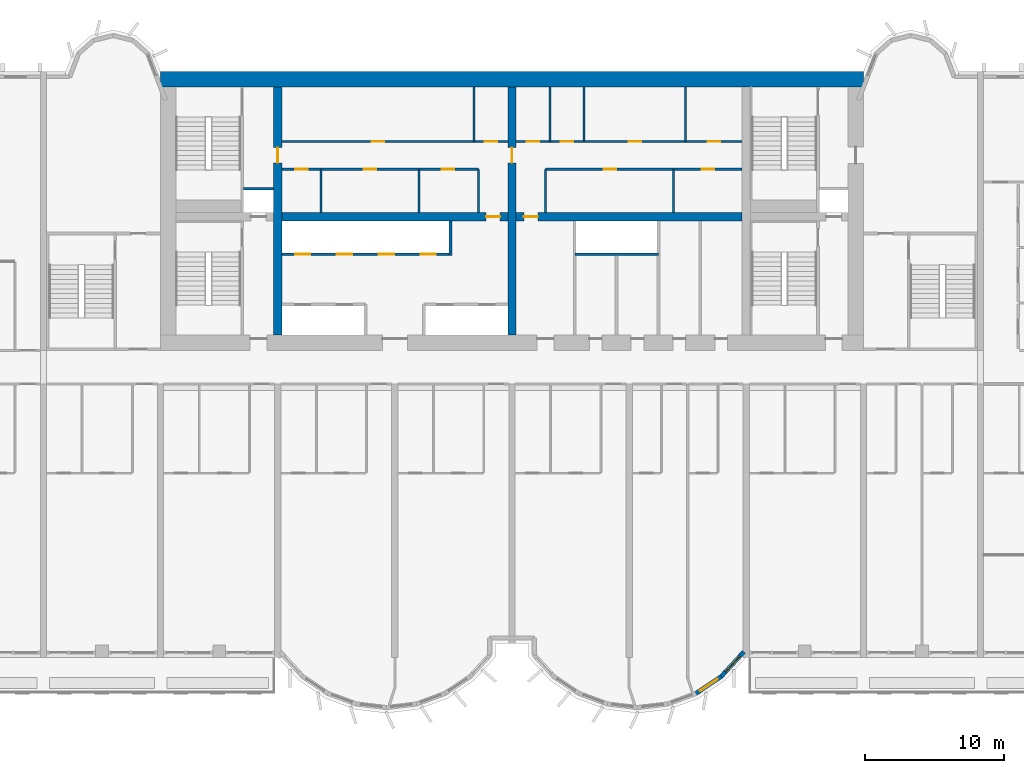
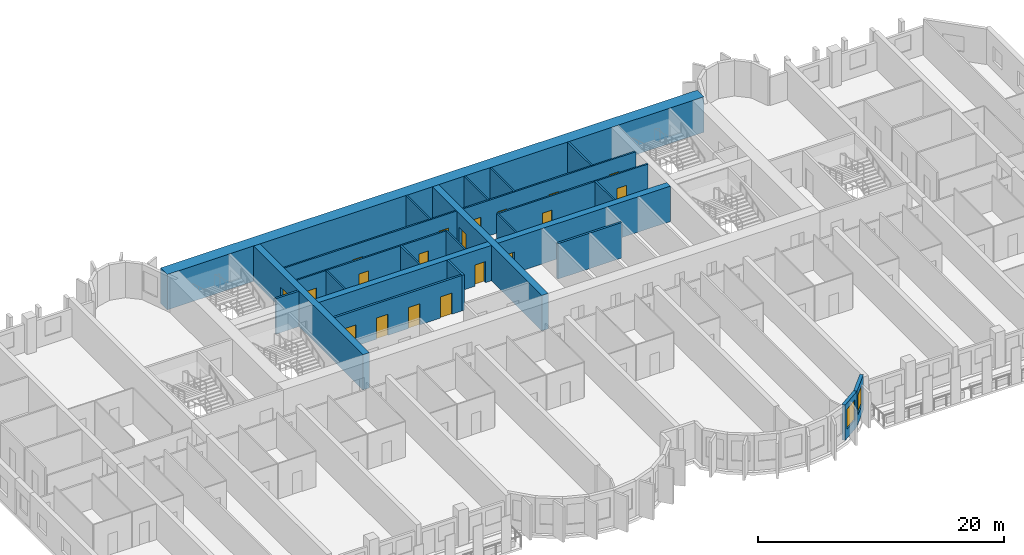
# One storey, part 7 of 15: 24 walls, 19 doors, 2 windows, 21 openings.
"""IFC4 building model written with IfcOpenShell, lengths in metres."""

import ifcopenshell
import ifcopenshell.guid

model = None  # the IFC model being written
_history = None  # IfcOwnerHistory: only IFC2X3 demands one
_inside = {}  # id of a spatial element -> (the spatial element, [elements in it])
_under = {}  # id of a project, library or spatial element -> (it, [spatial elements below it])
_declared = {}  # id of a project -> (the project, [libraries it declares])
_typed = {}  # id of a type object -> (the type object, [elements of that type])
_made_of = {}  # id of a material, layer set ... -> (it, [elements and type objects made of it])


def new_model(schema):
    """Start an empty IFC model of exactly this schema.

    Asked for "IFC4X3", IfcOpenShell would pick the latest addendum, in which some entities
    have other attributes; the version numbers below select the first issue.
    IFC2X3 requires an IfcOwnerHistory on every rooted entity: one is made here for all.
    """
    global model, _history
    if schema == "IFC4X3":
        model = ifcopenshell.file(schema_version=(4, 3, 0, 0))
    else:
        model = ifcopenshell.file(schema=schema)
    _inside.clear()
    _under.clear()
    _declared.clear()
    _typed.clear()
    _made_of.clear()
    _history = None
    if model.schema == "IFC2X3":
        org = make("IfcOrganization", Name="unknown")
        user = make(
            "IfcPersonAndOrganization",
            ThePerson=make("IfcPerson", FamilyName="unknown"),
            TheOrganization=org,
        )
        app = make(
            "IfcApplication",
            ApplicationDeveloper=org,
            Version="unknown",
            ApplicationFullName="unknown",
            ApplicationIdentifier="unknown",
        )
        _history = make(
            "IfcOwnerHistory",
            OwningUser=user,
            OwningApplication=app,
            ChangeAction="ADDED",
            CreationDate=0,
        )
    return model


def make(cls, **values):
    """One entity of the class cls with the attributes given. An attribute that is None is left unset."""
    return model.create_entity(
        cls, **{name: value for name, value in values.items() if value is not None}
    )


def rooted(cls, **values):
    """An entity with a GlobalId (a new one), such as an element, a storey or a relation."""
    return make(cls, GlobalId=ifcopenshell.guid.new(), OwnerHistory=_history, **values)


def si_unit(unit_type, name, prefix=None):
    """IfcSIUnit, for example si_unit("LENGTHUNIT", "METRE", prefix="MILLI")."""
    return make("IfcSIUnit", UnitType=unit_type, Prefix=prefix, Name=name)


def assignment(units):
    """IfcUnitAssignment: the units of a project."""
    return None if units is None else make("IfcUnitAssignment", Units=units)


def point(xyz):
    """IfcCartesianPoint."""
    return None if xyz is None else make("IfcCartesianPoint", Coordinates=xyz)


def direction(xyz):
    """IfcDirection."""
    return None if xyz is None else make("IfcDirection", DirectionRatios=xyz)


def frame(location, z_axis=None, x_axis=None):
    """IfcAxis2Placement3D, a coordinate frame: its origin and axes. An axis left out is left unset."""
    return make(
        "IfcAxis2Placement3D",
        Location=point(location),
        Axis=direction(z_axis),
        RefDirection=direction(x_axis),
    )


def frame_2d(location, x_axis=None):
    """IfcAxis2Placement2D, a coordinate frame in the plane: its origin and x axis."""
    return make(
        "IfcAxis2Placement2D", Location=point(location), RefDirection=direction(x_axis)
    )


def origin():
    """The frame at (0, 0, 0) with its axes left unset."""
    return frame((0.0, 0.0, 0.0))


def place(relative_to, where):
    """IfcLocalPlacement: puts the frame where relative to a parent placement (None: the world)."""
    return make(
        "IfcLocalPlacement", PlacementRelTo=relative_to, RelativePlacement=where
    )


def context(
    kind, dimensions, precision=None, world=None, true_north=None, identifier=None
):
    """IfcGeometricRepresentationContext, for example the 3D "Model" context."""
    return make(
        "IfcGeometricRepresentationContext",
        ContextIdentifier=identifier,
        ContextType=kind,
        CoordinateSpaceDimension=dimensions,
        Precision=precision,
        WorldCoordinateSystem=world,
        TrueNorth=true_north,
    )


def subcontext(parent, identifier, kind, view, scale=None):
    """IfcGeometricRepresentationSubContext, for example "Body" below "Model"."""
    return make(
        "IfcGeometricRepresentationSubContext",
        ContextIdentifier=identifier,
        ContextType=kind,
        ParentContext=parent,
        TargetScale=scale,
        TargetView=view,
    )


def project(units=None, contexts=None):
    """IfcProject with its units and contexts."""
    return rooted(
        "IfcProject",
        Name="project",
        RepresentationContexts=contexts,
        UnitsInContext=assignment(units),
    )


def spatial(cls, under=None, at=None, **own):
    """A site, building, storey or space (cls), placed at a placement, below another one or the project."""
    s = rooted(cls, ObjectPlacement=at, **own)
    if under is not None:
        _under.setdefault(under.id(), (under, []))[1].append(s)
    return s


def profile(cls, at=None, kind="AREA", **sizes):
    """A parametric profile (cls). Its sizes go by their IFC names, for example OverallWidth=200.0."""
    return make(cls, ProfileType=kind, Position=at, **sizes)


def rectangle(**sizes):
    """IfcRectangleProfileDef."""
    return profile("IfcRectangleProfileDef", **sizes)


def extrude(swept, where, along, depth):
    """IfcExtrudedAreaSolid: the profile swept, set in the frame where, extruded along a direction by depth."""
    return make(
        "IfcExtrudedAreaSolid",
        SweptArea=swept,
        Position=where,
        ExtrudedDirection=direction(along),
        Depth=depth,
    )


def shape(context_of_items, identifier, shape_type, items):
    """IfcShapeRepresentation: the items that make up one representation, for example the "Body"."""
    return make(
        "IfcShapeRepresentation",
        ContextOfItems=context_of_items,
        RepresentationIdentifier=identifier,
        RepresentationType=shape_type,
        Items=items,
    )


def source(mapping_origin, context_of_items, identifier, shape_type, items):
    """IfcRepresentationMap: a shape defined once, which mapped items show again and again."""
    return make(
        "IfcRepresentationMap",
        MappingOrigin=mapping_origin,
        MappedRepresentation=shape(context_of_items, identifier, shape_type, items),
    )


def transform(
    local_origin,
    x_axis=None,
    y_axis=None,
    z_axis=None,
    scale=None,
    scale2=None,
    scale3=None,
    uniform=True,
):
    """IfcCartesianTransformationOperator3D, or its non-uniform kind. x_axis, y_axis, z_axis: its Axis1, 2, 3."""
    if uniform:
        return make(
            "IfcCartesianTransformationOperator3D",
            Axis1=direction(x_axis),
            Axis2=direction(y_axis),
            LocalOrigin=point(local_origin),
            Scale=scale,
            Axis3=direction(z_axis),
        )
    return make(
        "IfcCartesianTransformationOperator3DnonUniform",
        Axis1=direction(x_axis),
        Axis2=direction(y_axis),
        LocalOrigin=point(local_origin),
        Scale=scale,
        Axis3=direction(z_axis),
        Scale2=scale2,
        Scale3=scale3,
    )


def mapped(mapping_source, mapping_target):
    """IfcMappedItem: shows the shape of a source again, moved by a transform."""
    return make(
        "IfcMappedItem", MappingSource=mapping_source, MappingTarget=mapping_target
    )


def material(Name=None, Category=None):
    """IfcMaterial."""
    return make("IfcMaterial", Name=Name, Category=Category)


def layer(
    of_material, thickness, ventilated=None, Name=None, Category=None, Priority=None
):
    """IfcMaterialLayer: one layer of a wall or slab, of a material (None: an air gap)."""
    return make(
        "IfcMaterialLayer",
        Material=of_material,
        LayerThickness=thickness,
        IsVentilated=ventilated,
        Name=Name,
        Category=Category,
        Priority=Priority,
    )


def layer_set(layers, Name=None):
    """IfcMaterialLayerSet."""
    return make("IfcMaterialLayerSet", MaterialLayers=layers, LayerSetName=Name)


def made_of(thing, what):
    """Note that an element or type object is made of a material, layer set ...; save() writes the relation."""
    if what is not None:
        _made_of.setdefault(what.id(), (what, []))[1].append(thing)
    return thing


def type_object(cls, material=None, **own):
    """A type object (cls), such as IfcWallType, which elements share."""
    return made_of(rooted(cls, **own), material)


def element(
    cls,
    number,
    at=None,
    inside=None,
    cuts=None,
    type_object=None,
    material=None,
    context=None,
    identifier="Body",
    shape_type=None,
    held_by="IfcProductDefinitionShape",
    body=None,
    shapes=None,
    **own,
):
    """One element of the class cls, such as IfcWall. Its Tag is "e" and its number.

    at: its placement. inside: the storey or other place that contains it. cuts: it is an
    opening in that element (IfcRelVoidsElement). A single representation is given by context,
    identifier, shape_type and body (its items); several are given by shapes. held_by: the class
    of the entity that holds the representations. save() writes the other relations.
    """
    e = rooted(cls, Tag="e%d" % number, ObjectPlacement=at, **own)
    if body is not None:
        shapes = [shape(context, identifier, shape_type, body)]
    if shapes is not None:
        e.Representation = make(held_by, Representations=shapes)
    if inside is not None:
        _inside.setdefault(inside.id(), (inside, []))[1].append(e)
    if cuts is not None:
        rooted(
            "IfcRelVoidsElement", RelatingBuildingElement=cuts, RelatedOpeningElement=e
        )
    if type_object is not None:
        _typed.setdefault(type_object.id(), (type_object, []))[1].append(e)
    return made_of(e, material)


def fill(opening, filler):
    """IfcRelFillsElement: the door or window that sits in an opening."""
    return rooted(
        "IfcRelFillsElement",
        RelatingOpeningElement=opening,
        RelatedBuildingElement=filler,
    )


def aggregate(whole, parts):
    """IfcRelAggregates: a whole, such as a stair, and the parts it consists of."""
    return rooted("IfcRelAggregates", RelatingObject=whole, RelatedObjects=parts)


def save(model, path):
    """Write the relations noted so far, then the file.

    IfcRelAggregates (storeys below a building ...), IfcRelContainedInSpatialStructure (elements
    in a storey), IfcRelDefinesByType, IfcRelAssociatesMaterial and IfcRelDeclares: one each for
    every whole, place, type object, material and project.
    """
    for whole, parts in _under.values():
        aggregate(whole, parts)
    for where, things in _inside.values():
        rooted(
            "IfcRelContainedInSpatialStructure",
            RelatedElements=things,
            RelatingStructure=where,
        )
    for kind, things in _typed.values():
        rooted("IfcRelDefinesByType", RelatedObjects=things, RelatingType=kind)
    for what, things in _made_of.values():
        rooted("IfcRelAssociatesMaterial", RelatedObjects=things, RelatingMaterial=what)
    for by, libraries in _declared.values():
        rooted("IfcRelDeclares", RelatingContext=by, RelatedDefinitions=libraries)
    model.write(path)


model = new_model("IFC4")

# Units and contexts
model_context = context("Model", 3, precision=1e-05, world=origin(), true_north=direction((0.0, 1.0)))
body_context = subcontext(model_context, "Body", "Model", "MODEL_VIEW")
ifc_project = project(units=[si_unit("LENGTHUNIT", "METRE"), si_unit("AREAUNIT", "SQUARE_METRE"), si_unit("VOLUMEUNIT", "CUBIC_METRE"), si_unit("PLANEANGLEUNIT", "RADIAN"), si_unit("MASSUNIT", "GRAM", prefix="KILO")], contexts=[model_context])

# Site, building, storey
site_placement = place(None, origin())
site = spatial("IfcSite", under=ifc_project, at=site_placement, CompositionType="ELEMENT")
building_placement = place(site_placement, origin())
building = spatial("IfcBuilding", under=site, at=building_placement, Name="Vanashikhar Sky Hotel", CompositionType="ELEMENT")
storey_placement = place(building_placement, frame((0.0, 0.0, 39.199951171875)))
storey = spatial("IfcBuildingStorey", under=building, at=storey_placement, Name="L08", CompositionType="ELEMENT", Elevation=39.199951171875)

# Wall
ifc_material_1 = material(Name="Concrete M80", Category="concrete")
ifc_layer_1 = layer(ifc_material_1, 1.10009765625)
ifc_layer_set_1 = layer_set([ifc_layer_1], Name="RC core shell wall 1100 Concrete M80")
wall_type_1 = type_object("IfcWallType", Name="RC core shell wall 1100 Concrete M80", PredefinedType="SHEAR", material=ifc_layer_set_1)
shared_shape_1 = source(origin(), body_context, "Body", "SweptSolid", [
    extrude(rectangle(XDim=50.400146484375, YDim=1.10009765625, at=frame_2d((25.2001953125, 0.0))), origin(), (0.0, 0.0, 1.0), 3.52001953125),
])
wall_1_placement = place(storey_placement, frame((25.199951171875, 41.449951171875, 0.0), z_axis=(0.0, 0.0, 1.0), x_axis=(1.0, 0.0, 0.0)))
element("IfcWall", 1, at=wall_1_placement, inside=storey, type_object=wall_type_1, Name="KW-L08-KN", PredefinedType="SHEAR", context=body_context, shape_type="MappedRepresentation", body=[
    mapped(shared_shape_1, transform((0.0, 0.0, 0.0), scale=1.0)),
])

# Wall, opening, door
ifc_layer_2 = layer(ifc_material_1, 0.60009765625)
ifc_layer_set_2 = layer_set([ifc_layer_2], Name="RC core inner wall 600 Concrete M80")
wall_type_2 = type_object("IfcWallType", Name="RC core inner wall 600 Concrete M80", PredefinedType="SHEAR", material=ifc_layer_set_2)
shared_shape_2 = source(origin(), body_context, "Body", "SweptSolid", [
    extrude(rectangle(XDim=17.7998046875, YDim=0.60009765625, at=frame_2d((8.89990234375, 0.0))), origin(), (0.0, 0.0, 1.0), 3.52001953125),
])
wall_2_placement = place(storey_placement, frame((33.60009765625, 23.10009765625, 0.0), z_axis=(0.0, 0.0, 1.0), x_axis=(0.0, 1.0, 0.0)))
wall_2 = element("IfcWall", 2, at=wall_2_placement, inside=storey, type_object=wall_type_2, Name="KW-L08-KX1", PredefinedType="SHEAR", context=body_context, shape_type="MappedRepresentation", body=[
    mapped(shared_shape_2, transform((0.0, 0.0, 0.0), scale=1.0)),
])
shared_shape_3 = source(origin(), body_context, "Body", "SweptSolid", [
    extrude(rectangle(XDim=1.10009765625, YDim=2.10009765625, at=frame_2d((0.550048828125, 1.050048828125))), frame((0.0, 0.31005859375, 0.0), z_axis=(0.0, -1.0, 0.0), x_axis=(1.0, 0.0, 0.0)), (0.0, 0.0, 1.0), 0.6201171875),
])
opening_1_placement = place(wall_2_placement, frame((12.35009765625, 0.0, 0.0)))
opening_1 = element("IfcOpeningElement", 3, at=opening_1_placement, cuts=wall_2, Name="Opening DC-4-C", PredefinedType="OPENING", context=body_context, shape_type="MappedRepresentation", body=[
    mapped(shared_shape_3, transform((0.0, 0.0, 0.0), scale=1.0)),
])
ifc_material_2 = material(Name="Steel", Category="steel")
door_type_1 = type_object("IfcDoorType", Name="Service door 1100 FD60", OperationType="NOTDEFINED", PredefinedType="DOOR", material=ifc_material_2)
shared_shape_4 = source(origin(), body_context, "Body", "SweptSolid", [
    extrude(rectangle(XDim=1.10009765625, YDim=2.10009765625, at=frame_2d((0.550048828125, 1.050048828125))), frame((0.0, 0.02490234375, 0.0), z_axis=(0.0, -1.0, 0.0), x_axis=(1.0, 0.0, 0.0)), (0.0, 0.0, 1.0), 0.050048828125),
])
door_1_placement = place(opening_1_placement, origin())
door_1 = element("IfcDoor", 4, at=door_1_placement, inside=storey, type_object=door_type_1, Name="Service door 1100 FD60", OperationType="SINGLE_SWING_LEFT", OverallHeight=2.10009765625, OverallWidth=1.10009765625, PredefinedType="DOOR", context=body_context, shape_type="MappedRepresentation", body=[
    mapped(shared_shape_4, transform((0.0, 0.0, 0.0), scale=1.0)),
])
fill(opening_1, door_1)

wall_3_placement = place(storey_placement, frame((50.39990234375, 23.10009765625, 0.0), z_axis=(0.0, 0.0, 1.0), x_axis=(0.0, 1.0, 0.0)))
wall_3 = element("IfcWall", 5, at=wall_3_placement, inside=storey, type_object=wall_type_2, Name="KW-L08-KX2", PredefinedType="SHEAR", context=body_context, shape_type="MappedRepresentation", body=[
    mapped(shared_shape_2, transform((0.0, 0.0, 0.0), scale=1.0)),
])
opening_2_placement = place(wall_3_placement, frame((12.35009765625, 0.0, 0.0)))
opening_2 = element("IfcOpeningElement", 6, at=opening_2_placement, cuts=wall_3, Name="Opening DC-4-C", PredefinedType="OPENING", context=body_context, shape_type="MappedRepresentation", body=[
    mapped(shared_shape_3, transform((0.0, 0.0, 0.0), scale=1.0)),
])
door_2_placement = place(opening_2_placement, origin())
door_2 = element("IfcDoor", 7, at=door_2_placement, inside=storey, type_object=door_type_1, Name="Service door 1100 FD60", OperationType="SINGLE_SWING_RIGHT", OverallHeight=2.10009765625, OverallWidth=1.10009765625, PredefinedType="DOOR", context=body_context, shape_type="MappedRepresentation", body=[
    mapped(shared_shape_4, transform((0.0, 0.0, 0.0), scale=1.0)),
])
fill(opening_2, door_2)

shared_shape_5 = source(origin(), body_context, "Body", "SweptSolid", [
    extrude(rectangle(XDim=16.2001953125, YDim=0.60009765625, at=frame_2d((8.10009765625, 0.0))), origin(), (0.0, 0.0, 1.0), 3.52001953125),
])
wall_4_placement = place(storey_placement, frame((33.89990234375, 31.60009765625, 0.0), z_axis=(0.0, 0.0, 1.0), x_axis=(1.0, 0.0, 0.0)))
wall_4 = element("IfcWall", 8, at=wall_4_placement, inside=storey, type_object=wall_type_2, Name="KW-L08-KY2", PredefinedType="SHEAR", context=body_context, shape_type="MappedRepresentation", body=[
    mapped(shared_shape_5, transform((0.0, 0.0, 0.0), scale=1.0)),
])
shared_shape_6 = source(origin(), body_context, "Body", "SweptSolid", [
    extrude(rectangle(XDim=1.0, YDim=2.10009765625, at=frame_2d((0.5, 1.050048828125))), frame((0.0, 0.31005859375, 0.0), z_axis=(0.0, -1.0, 0.0), x_axis=(1.0, 0.0, 0.0)), (0.0, 0.0, 1.0), 0.6201171875),
])
opening_3_placement = place(wall_4_placement, frame((14.64990234375, 0.0, 0.0)))
opening_3 = element("IfcOpeningElement", 9, at=opening_3_placement, cuts=wall_4, Name="Opening DC-4", PredefinedType="OPENING", context=body_context, shape_type="MappedRepresentation", body=[
    mapped(shared_shape_6, transform((0.0, 0.0, 0.0), scale=1.0)),
])
door_type_2 = type_object("IfcDoorType", Name="Service door 1000 FD60", OperationType="NOTDEFINED", PredefinedType="DOOR", material=ifc_material_2)
shared_shape_7 = source(origin(), body_context, "Body", "SweptSolid", [
    extrude(rectangle(XDim=1.0, YDim=2.10009765625, at=frame_2d((0.5, 1.050048828125))), frame((0.0, 0.02490234375, 0.0), z_axis=(0.0, -1.0, 0.0), x_axis=(1.0, 0.0, 0.0)), (0.0, 0.0, 1.0), 0.050048828125),
])
door_3_placement = place(opening_3_placement, origin())
door_3 = element("IfcDoor", 10, at=door_3_placement, inside=storey, type_object=door_type_2, Name="Service door 1000 FD60", OperationType="SINGLE_SWING_RIGHT", OverallHeight=2.10009765625, OverallWidth=1.0, PredefinedType="DOOR", context=body_context, shape_type="MappedRepresentation", body=[
    mapped(shared_shape_7, transform((0.0, 0.0, 0.0), scale=1.0)),
])
fill(opening_3, door_3)

shared_shape_8 = source(origin(), body_context, "Body", "SweptSolid", [
    extrude(rectangle(XDim=16.199951171875, YDim=0.60009765625, at=frame_2d((8.10009765625, 0.0))), origin(), (0.0, 0.0, 1.0), 3.52001953125),
])
wall_5_placement = place(storey_placement, frame((50.699951171875, 31.60009765625, 0.0), z_axis=(0.0, 0.0, 1.0), x_axis=(1.0, 0.0, 0.0)))
wall_5 = element("IfcWall", 11, at=wall_5_placement, inside=storey, type_object=wall_type_2, Name="KW-L08-KY3", PredefinedType="SHEAR", context=body_context, shape_type="MappedRepresentation", body=[
    mapped(shared_shape_8, transform((0.0, 0.0, 0.0), scale=1.0)),
])
opening_4_placement = place(wall_5_placement, frame((0.550048828125, 0.0, 0.0)))
opening_4 = element("IfcOpeningElement", 12, at=opening_4_placement, cuts=wall_5, Name="Opening DC-4", PredefinedType="OPENING", context=body_context, shape_type="MappedRepresentation", body=[
    mapped(shared_shape_6, transform((0.0, 0.0, 0.0), scale=1.0)),
])
door_4_placement = place(opening_4_placement, origin())
door_4 = element("IfcDoor", 13, at=door_4_placement, inside=storey, type_object=door_type_2, Name="Service door 1000 FD60", OperationType="SINGLE_SWING_LEFT", OverallHeight=2.10009765625, OverallWidth=1.0, PredefinedType="DOOR", context=body_context, shape_type="MappedRepresentation", body=[
    mapped(shared_shape_7, transform((0.0, 0.0, 0.0), scale=1.0)),
])
fill(opening_4, door_4)

# Wall, opening, window
ifc_material_3 = material(Name="Concrete M50", Category="concrete")
ifc_layer_3 = layer(ifc_material_3, 0.300048828125)
ifc_layer_set_3 = layer_set([ifc_layer_3], Name="Lobe wall 300")
wall_type_3 = type_object("IfcWallType", Name="Lobe wall 300", PredefinedType="SOLIDWALL", material=ifc_layer_set_3)
shared_shape_9 = source(origin(), body_context, "Body", "SweptSolid", [
    extrude(rectangle(XDim=2.398193359375, YDim=0.300048828125, at=frame_2d((1.19921875, 0.0))), origin(), (0.0, 0.0, 1.0), 3.52001953125),
])
wall_6_placement = place(storey_placement, frame((65.404296875, -1.36865234375, 0.0), z_axis=(0.0, 0.0, 1.0), x_axis=(0.675374189419, 0.737475222815, 0.0)))
wall_6 = element("IfcWall", 14, at=wall_6_placement, inside=storey, type_object=wall_type_3, Name="Lobe wall", PredefinedType="SOLIDWALL", context=body_context, shape_type="MappedRepresentation", body=[
    mapped(shared_shape_9, transform((0.0, 0.0, 0.0), scale=1.0)),
])
shared_shape_10 = source(origin(), body_context, "Body", "SweptSolid", [
    extrude(rectangle(XDim=1.5, YDim=2.0, at=frame_2d((0.75, 1.0))), frame((0.0, 0.16015625, 0.0), z_axis=(0.0, -1.0, 0.0), x_axis=(1.0, 0.0, 0.0)), (0.0, 0.0, 1.0), 0.320068359375),
])
opening_5_placement = place(wall_6_placement, frame((0.44921875, 0.0, 0.89990234375)))
opening_5 = element("IfcOpeningElement", 15, at=opening_5_placement, cuts=wall_6, Name="Opening WN-2", PredefinedType="OPENING", context=body_context, shape_type="MappedRepresentation", body=[
    mapped(shared_shape_10, transform((0.0, 0.0, 0.0), scale=1.0)),
])
ifc_material_4 = material(Name="Glass", Category="glass")
window_type = type_object("IfcWindowType", Name="Lobe window 1500 x 2000", PartitioningType="SINGLE_PANEL", PredefinedType="WINDOW", material=ifc_material_4)
shared_shape_11 = source(origin(), body_context, "Body", "SweptSolid", [
    extrude(rectangle(XDim=1.5, YDim=2.0, at=frame_2d((0.75, 1.0))), frame((0.0, 0.030029296875, 0.0), z_axis=(0.0, -1.0, 0.0), x_axis=(1.0, 0.0, 0.0)), (0.0, 0.0, 1.0), 0.06005859375),
])
window_1_placement = place(opening_5_placement, origin())
window_1 = element("IfcWindow", 16, at=window_1_placement, inside=storey, type_object=window_type, Name="Window WN-2", OverallHeight=2.0, OverallWidth=1.5, PartitioningType="SINGLE_PANEL", PredefinedType="WINDOW", context=body_context, shape_type="MappedRepresentation", body=[
    mapped(shared_shape_11, transform((0.0, 0.0, 0.0), scale=1.0)),
])
fill(opening_5, window_1)

shared_shape_12 = source(origin(), body_context, "Body", "SweptSolid", [
    extrude(rectangle(XDim=2.17578125, YDim=0.300048828125, at=frame_2d((1.087890625, 0.0))), origin(), (0.0, 0.0, 1.0), 3.52001953125),
])
wall_7_placement = place(storey_placement, frame((63.59912109375, -2.58349609375, 0.0), z_axis=(0.0, 0.0, 1.0), x_axis=(0.829625727223, 0.558319937607, 0.0)))
wall_7 = element("IfcWall", 17, at=wall_7_placement, inside=storey, type_object=wall_type_3, Name="Lobe wall", PredefinedType="SOLIDWALL", context=body_context, shape_type="MappedRepresentation", body=[
    mapped(shared_shape_12, transform((0.0, 0.0, 0.0), scale=1.0)),
])
opening_6_placement = place(wall_7_placement, frame((0.337890625, 0.0, 0.89990234375)))
opening_6 = element("IfcOpeningElement", 18, at=opening_6_placement, cuts=wall_7, Name="Opening WN-2", PredefinedType="OPENING", context=body_context, shape_type="MappedRepresentation", body=[
    mapped(shared_shape_10, transform((0.0, 0.0, 0.0), scale=1.0)),
])
window_2_placement = place(opening_6_placement, origin())
window_2 = element("IfcWindow", 19, at=window_2_placement, inside=storey, type_object=window_type, Name="Window WN-2", OverallHeight=2.0, OverallWidth=1.5, PartitioningType="SINGLE_PANEL", PredefinedType="WINDOW", context=body_context, shape_type="MappedRepresentation", body=[
    mapped(shared_shape_11, transform((0.0, 0.0, 0.0), scale=1.0)),
])
fill(opening_6, window_2)

# Wall
ifc_material_5 = material(Name="Concrete M40", Category="concrete")
ifc_layer_4 = layer(ifc_material_5, 0.199951171875)
ifc_layer_set_4 = layer_set([ifc_layer_4], Name="Shaft wall 200")
wall_type_4 = type_object("IfcWallType", Name="Shaft wall 200", PredefinedType="SOLIDWALL", material=ifc_layer_set_4)
shared_shape_13 = source(origin(), body_context, "Body", "SweptSolid", [
    extrude(rectangle(XDim=6.0, YDim=0.199951171875, at=frame_2d((3.0, 0.0))), origin(), (0.0, 0.0, 1.0), 3.52001953125),
])
wall_8_placement = place(storey_placement, frame((60.89990234375, 28.89990234375, 0.0), z_axis=(0.0, 0.0, 1.0), x_axis=(-1.0, 0.0, 0.0)))
element("IfcWall", 20, at=wall_8_placement, inside=storey, type_object=wall_type_4, Name="Shaft wall 200", PredefinedType="SOLIDWALL", context=body_context, shape_type="MappedRepresentation", body=[
    mapped(shared_shape_13, transform((0.0, 0.0, 0.0), scale=1.0)),
])

# Wall, openings, doors
shared_shape_14 = source(origin(), body_context, "Body", "SweptSolid", [
    extrude(rectangle(XDim=12.0, YDim=0.199951171875, at=frame_2d((6.0, 0.0))), origin(), (0.0, 0.0, 1.0), 3.52001953125),
])
wall_9_placement = place(storey_placement, frame((33.89990234375, 28.89990234375, 0.0), z_axis=(0.0, 0.0, 1.0), x_axis=(1.0, 0.0, 0.0)))
wall_9 = element("IfcWall", 21, at=wall_9_placement, inside=storey, type_object=wall_type_4, Name="Shaft wall 200", PredefinedType="SOLIDWALL", context=body_context, shape_type="MappedRepresentation", body=[
    mapped(shared_shape_14, transform((0.0, 0.0, 0.0), scale=1.0)),
])
shared_shape_15 = source(origin(), body_context, "Body", "SweptSolid", [
    extrude(rectangle(XDim=1.10009765625, YDim=2.10009765625, at=frame_2d((0.550048828125, 1.050048828125))), frame((0.0, 0.10986328125, 0.0), z_axis=(0.0, -1.0, 0.0), x_axis=(1.0, 0.0, 0.0)), (0.0, 0.0, 1.0), 0.219970703125),
])
opening_7_placement = place(wall_9_placement, frame((0.949951171875, 0.0, 0.0)))
opening_7 = element("IfcOpeningElement", 22, at=opening_7_placement, cuts=wall_9, Name="Opening LD", PredefinedType="OPENING", context=body_context, shape_type="MappedRepresentation", body=[
    mapped(shared_shape_15, transform((0.0, 0.0, 0.0), scale=1.0)),
])
opening_8_placement = place(wall_9_placement, frame((3.949951171875, 0.0, 0.0)))
opening_8 = element("IfcOpeningElement", 23, at=opening_8_placement, cuts=wall_9, Name="Opening LD", PredefinedType="OPENING", context=body_context, shape_type="MappedRepresentation", body=[
    mapped(shared_shape_15, transform((0.0, 0.0, 0.0), scale=1.0)),
])
opening_9_placement = place(wall_9_placement, frame((6.949951171875, 0.0, 0.0)))
opening_9 = element("IfcOpeningElement", 24, at=opening_9_placement, cuts=wall_9, Name="Opening LD", PredefinedType="OPENING", context=body_context, shape_type="MappedRepresentation", body=[
    mapped(shared_shape_15, transform((0.0, 0.0, 0.0), scale=1.0)),
])
opening_10_placement = place(wall_9_placement, frame((9.949951171875, 0.0, 0.0)))
opening_10 = element("IfcOpeningElement", 25, at=opening_10_placement, cuts=wall_9, Name="Opening LD", PredefinedType="OPENING", context=body_context, shape_type="MappedRepresentation", body=[
    mapped(shared_shape_15, transform((0.0, 0.0, 0.0), scale=1.0)),
])
ifc_material_6 = material(Name="Stainless steel", Category="steel")
door_type_3 = type_object("IfcDoorType", Name="Lift landing door 1100", OperationType="NOTDEFINED", PredefinedType="DOOR", material=ifc_material_6)
door_5_placement = place(opening_7_placement, origin())
door_5 = element("IfcDoor", 26, at=door_5_placement, inside=storey, type_object=door_type_3, Name="Lift landing door 1100", OperationType="SLIDING_TO_LEFT", OverallHeight=2.10009765625, OverallWidth=1.10009765625, PredefinedType="DOOR", context=body_context, shape_type="MappedRepresentation", body=[
    mapped(shared_shape_4, transform((0.0, 0.0, 0.0), scale=1.0)),
])
fill(opening_7, door_5)
door_6_placement = place(opening_8_placement, origin())
door_6 = element("IfcDoor", 27, at=door_6_placement, inside=storey, type_object=door_type_3, Name="Lift landing door 1100", OperationType="SLIDING_TO_RIGHT", OverallHeight=2.10009765625, OverallWidth=1.10009765625, PredefinedType="DOOR", context=body_context, shape_type="MappedRepresentation", body=[
    mapped(shared_shape_4, transform((0.0, 0.0, 0.0), scale=1.0)),
])
fill(opening_8, door_6)
door_7_placement = place(opening_9_placement, origin())
door_7 = element("IfcDoor", 28, at=door_7_placement, inside=storey, type_object=door_type_3, Name="Lift landing door 1100", OperationType="SLIDING_TO_LEFT", OverallHeight=2.10009765625, OverallWidth=1.10009765625, PredefinedType="DOOR", context=body_context, shape_type="MappedRepresentation", body=[
    mapped(shared_shape_4, transform((0.0, 0.0, 0.0), scale=1.0)),
])
fill(opening_9, door_7)
door_8_placement = place(opening_10_placement, origin())
door_8 = element("IfcDoor", 29, at=door_8_placement, inside=storey, type_object=door_type_3, Name="Lift landing door 1100", OperationType="SLIDING_TO_RIGHT", OverallHeight=2.10009765625, OverallWidth=1.10009765625, PredefinedType="DOOR", context=body_context, shape_type="MappedRepresentation", body=[
    mapped(shared_shape_4, transform((0.0, 0.0, 0.0), scale=1.0)),
])
fill(opening_10, door_8)

# Walls
shared_shape_16 = source(origin(), body_context, "Body", "SweptSolid", [
    extrude(rectangle(XDim=2.5, YDim=0.199951171875, at=frame_2d((1.25, 0.0))), origin(), (0.0, 0.0, 1.0), 3.52001953125),
])
wall_10_placement = place(storey_placement, frame((46.0, 28.800048828125, 0.0), z_axis=(0.0, 0.0, 1.0), x_axis=(0.0, 1.0, 0.0)))
element("IfcWall", 30, at=wall_10_placement, inside=storey, type_object=wall_type_4, Name="Shaft wall 200", PredefinedType="SOLIDWALL", context=body_context, shape_type="MappedRepresentation", body=[
    mapped(shared_shape_16, transform((0.0, 0.0, 0.0), scale=1.0)),
])
ifc_material_7 = material(Name="Gypsum board partition")
ifc_layer_5 = layer(ifc_material_7, 0.14990234375)
ifc_layer_set_5 = layer_set([ifc_layer_5], Name="Service partition 150")
wall_type_5 = type_object("IfcWallType", Name="Service partition 150", PredefinedType="PARTITIONING", material=ifc_layer_set_5)
shared_shape_17 = source(origin(), body_context, "Body", "SweptSolid", [
    extrude(rectangle(XDim=3.10009765625, YDim=0.14990234375, at=frame_2d((1.550048828125, 0.0))), origin(), (0.0, 0.0, 1.0), 3.52001953125),
])
for number, where, z_axis, x_axis, name in (
    (31, (48.0, 31.89990234375, 0.0), (0.0, 0.0, 1.0), (0.0, 1.0, 0.0), "Service partition 150"),
    (32, (36.705078125, 31.89990234375, 0.0), (0.0, 0.0, 1.0), (0.0, 1.0, 0.0), "Service partition 150"),
    (33, (43.718017578125, 31.89990234375, 0.0), (0.0, 0.0, 1.0), (0.0, 1.0, 0.0), "Service partition 150"),
    (34, (52.800048828125, 31.89990234375, 0.0), (0.0, 0.0, 1.0), (0.0, 1.0, 0.0), "Service partition 150"),
    (35, (61.990966796875, 31.89990234375, 0.0), (0.0, 0.0, 1.0), (0.0, 1.0, 0.0), "Service partition 150"),
):
    element("IfcWall", number, at=place(storey_placement, frame(where, z_axis=z_axis, x_axis=x_axis)), inside=storey, type_object=wall_type_5, Name=name, PredefinedType="PARTITIONING", context=body_context, shape_type="MappedRepresentation", body=[
        mapped(shared_shape_17, transform((0.0, 0.0, 0.0), scale=1.0)),
    ])

# Wall, openings, doors
shared_shape_18 = source(origin(), body_context, "Body", "SweptSolid", [
    extrude(rectangle(XDim=14.10009765625, YDim=0.14990234375, at=frame_2d((7.050048828125, 0.0))), origin(), (0.0, 0.0, 1.0), 3.52001953125),
])
wall_11_placement = place(storey_placement, frame((33.89990234375, 35.0, 0.0), z_axis=(0.0, 0.0, 1.0), x_axis=(1.0, 0.0, 0.0)))
wall_11 = element("IfcWall", 36, at=wall_11_placement, inside=storey, type_object=wall_type_5, Name="Service partition 150", PredefinedType="PARTITIONING", context=body_context, shape_type="MappedRepresentation", body=[
    mapped(shared_shape_18, transform((0.0, 0.0, 0.0), scale=1.0)),
])
shared_shape_19 = source(origin(), body_context, "Body", "SweptSolid", [
    extrude(rectangle(XDim=0.89990234375, YDim=2.10009765625, at=frame_2d((0.449951171875, 1.050048828125))), frame((0.0, 0.0849609375, 0.0), z_axis=(0.0, -1.0, 0.0), x_axis=(1.0, 0.0, 0.0)), (0.0, 0.0, 1.0), 0.169921875),
])
opening_11_placement = place(wall_11_placement, frame((0.951904296875, 0.0, 0.0)))
opening_11 = element("IfcOpeningElement", 37, at=opening_11_placement, cuts=wall_11, Name="Opening DC-4-A", PredefinedType="OPENING", context=body_context, shape_type="MappedRepresentation", body=[
    mapped(shared_shape_19, transform((0.0, 0.0, 0.0), scale=1.0)),
])
opening_12_placement = place(wall_11_placement, frame((5.861083984375, 0.0, 0.0)))
opening_12 = element("IfcOpeningElement", 38, at=opening_12_placement, cuts=wall_11, Name="Opening DC-4-A", PredefinedType="OPENING", context=body_context, shape_type="MappedRepresentation", body=[
    mapped(shared_shape_19, transform((0.0, 0.0, 0.0), scale=1.0)),
])
opening_13_placement = place(wall_11_placement, frame((11.470947265625, 0.0, 0.0)))
opening_13 = element("IfcOpeningElement", 39, at=opening_13_placement, cuts=wall_11, Name="Opening DC-4-A", PredefinedType="OPENING", context=body_context, shape_type="MappedRepresentation", body=[
    mapped(shared_shape_19, transform((0.0, 0.0, 0.0), scale=1.0)),
])
door_type_4 = type_object("IfcDoorType", Name="Service door 900 FD60", OperationType="NOTDEFINED", PredefinedType="DOOR", material=ifc_material_2)
shared_shape_20 = source(origin(), body_context, "Body", "SweptSolid", [
    extrude(rectangle(XDim=0.89990234375, YDim=2.10009765625, at=frame_2d((0.449951171875, 1.050048828125))), frame((0.0, 0.02490234375, 0.0), z_axis=(0.0, -1.0, 0.0), x_axis=(1.0, 0.0, 0.0)), (0.0, 0.0, 1.0), 0.050048828125),
])
door_9_placement = place(opening_11_placement, origin())
door_9 = element("IfcDoor", 40, at=door_9_placement, inside=storey, type_object=door_type_4, Name="Service door 900 FD60", OperationType="SINGLE_SWING_RIGHT", OverallHeight=2.10009765625, OverallWidth=0.89990234375, PredefinedType="DOOR", context=body_context, shape_type="MappedRepresentation", body=[
    mapped(shared_shape_20, transform((0.0, 0.0, 0.0), scale=1.0)),
])
fill(opening_11, door_9)
door_10_placement = place(opening_12_placement, origin())
door_10 = element("IfcDoor", 41, at=door_10_placement, inside=storey, type_object=door_type_4, Name="Service door 900 FD60", OperationType="SINGLE_SWING_RIGHT", OverallHeight=2.10009765625, OverallWidth=0.89990234375, PredefinedType="DOOR", context=body_context, shape_type="MappedRepresentation", body=[
    mapped(shared_shape_20, transform((0.0, 0.0, 0.0), scale=1.0)),
])
fill(opening_12, door_10)
door_11_placement = place(opening_13_placement, origin())
door_11 = element("IfcDoor", 42, at=door_11_placement, inside=storey, type_object=door_type_4, Name="Service door 900 FD60", OperationType="SINGLE_SWING_LEFT", OverallHeight=2.10009765625, OverallWidth=0.89990234375, PredefinedType="DOOR", context=body_context, shape_type="MappedRepresentation", body=[
    mapped(shared_shape_20, transform((0.0, 0.0, 0.0), scale=1.0)),
])
fill(opening_13, door_11)

shared_shape_21 = source(origin(), body_context, "Body", "SweptSolid", [
    extrude(rectangle(XDim=16.2001953125, YDim=0.14990234375, at=frame_2d((8.10009765625, 0.0))), origin(), (0.0, 0.0, 1.0), 3.52001953125),
])
wall_12_placement = place(storey_placement, frame((33.89990234375, 37.0, 0.0), z_axis=(0.0, 0.0, 1.0), x_axis=(1.0, 0.0, 0.0)))
wall_12 = element("IfcWall", 43, at=wall_12_placement, inside=storey, type_object=wall_type_5, Name="Service partition 150", PredefinedType="PARTITIONING", context=body_context, shape_type="MappedRepresentation", body=[
    mapped(shared_shape_21, transform((0.0, 0.0, 0.0), scale=1.0)),
])
opening_14_placement = place(wall_12_placement, frame((6.43505859375, 0.0, 0.0)))
opening_14 = element("IfcOpeningElement", 44, at=opening_14_placement, cuts=wall_12, Name="Opening DC-4-A", PredefinedType="OPENING", context=body_context, shape_type="MappedRepresentation", body=[
    mapped(shared_shape_19, transform((0.0, 0.0, 0.0), scale=1.0)),
])
opening_15_placement = place(wall_12_placement, frame((14.534912109375, 0.0, 0.0)))
opening_15 = element("IfcOpeningElement", 45, at=opening_15_placement, cuts=wall_12, Name="Opening DC-4-A", PredefinedType="OPENING", context=body_context, shape_type="MappedRepresentation", body=[
    mapped(shared_shape_19, transform((0.0, 0.0, 0.0), scale=1.0)),
])
door_12_placement = place(opening_14_placement, origin())
door_12 = element("IfcDoor", 46, at=door_12_placement, inside=storey, type_object=door_type_4, Name="Service door 900 FD60", OperationType="SINGLE_SWING_RIGHT", OverallHeight=2.10009765625, OverallWidth=0.89990234375, PredefinedType="DOOR", context=body_context, shape_type="MappedRepresentation", body=[
    mapped(shared_shape_20, transform((0.0, 0.0, 0.0), scale=1.0)),
])
fill(opening_14, door_12)
door_13_placement = place(opening_15_placement, origin())
door_13 = element("IfcDoor", 47, at=door_13_placement, inside=storey, type_object=door_type_4, Name="Service door 900 FD60", OperationType="SINGLE_SWING_RIGHT", OverallHeight=2.10009765625, OverallWidth=0.89990234375, PredefinedType="DOOR", context=body_context, shape_type="MappedRepresentation", body=[
    mapped(shared_shape_20, transform((0.0, 0.0, 0.0), scale=1.0)),
])
fill(opening_15, door_13)

# Walls
shared_shape_22 = source(origin(), body_context, "Body", "SweptSolid", [
    extrude(rectangle(XDim=3.89990234375, YDim=0.14990234375, at=frame_2d((1.949951171875, 0.0))), origin(), (0.0, 0.0, 1.0), 3.52001953125),
])
for number, where, z_axis, x_axis, name in (
    (48, (47.669921875, 37.0, 0.0), (0.0, 0.0, 1.0), (0.0, 1.0, 0.0), "Service partition 150"),
    (49, (62.85009765625, 37.0, 0.0), (0.0, 0.0, 1.0), (0.0, 1.0, 0.0), "Service partition 150"),
    (50, (55.56005859375, 37.0, 0.0), (0.0, 0.0, 1.0), (0.0, 1.0, 0.0), "Service partition 150"),
    (51, (53.1298828125, 37.0, 0.0), (0.0, 0.0, 1.0), (0.0, 1.0, 0.0), "Service partition 150"),
):
    element("IfcWall", number, at=place(storey_placement, frame(where, z_axis=z_axis, x_axis=x_axis)), inside=storey, type_object=wall_type_5, Name=name, PredefinedType="PARTITIONING", context=body_context, shape_type="MappedRepresentation", body=[
        mapped(shared_shape_22, transform((0.0, 0.0, 0.0), scale=1.0)),
    ])

# Wall, openings, doors
shared_shape_23 = source(origin(), body_context, "Body", "SweptSolid", [
    extrude(rectangle(XDim=14.099853515625, YDim=0.14990234375, at=frame_2d((7.0498046875, 0.0))), origin(), (0.0, 0.0, 1.0), 3.52001953125),
])
wall_13_placement = place(storey_placement, frame((66.89990234375, 35.0, 0.0), z_axis=(0.0, 0.0, 1.0), x_axis=(-1.0, 0.0, 0.0)))
wall_13 = element("IfcWall", 52, at=wall_13_placement, inside=storey, type_object=wall_type_5, Name="Service partition 150", PredefinedType="PARTITIONING", context=body_context, shape_type="MappedRepresentation", body=[
    mapped(shared_shape_23, transform((0.0, 0.0, 0.0), scale=1.0)),
])
opening_16_placement = place(wall_13_placement, frame((2.00390625, 0.0, 0.0)))
opening_16 = element("IfcOpeningElement", 53, at=opening_16_placement, cuts=wall_13, Name="Opening DC-4-A", PredefinedType="OPENING", context=body_context, shape_type="MappedRepresentation", body=[
    mapped(shared_shape_19, transform((0.0, 0.0, 0.0), scale=1.0)),
])
opening_17_placement = place(wall_13_placement, frame((9.01708984375, 0.0, 0.0)))
opening_17 = element("IfcOpeningElement", 54, at=opening_17_placement, cuts=wall_13, Name="Opening DC-4-A", PredefinedType="OPENING", context=body_context, shape_type="MappedRepresentation", body=[
    mapped(shared_shape_19, transform((0.0, 0.0, 0.0), scale=1.0)),
])
door_14_placement = place(opening_16_placement, origin())
door_14 = element("IfcDoor", 55, at=door_14_placement, inside=storey, type_object=door_type_4, Name="Service door 900 FD60", OperationType="SINGLE_SWING_RIGHT", OverallHeight=2.10009765625, OverallWidth=0.89990234375, PredefinedType="DOOR", context=body_context, shape_type="MappedRepresentation", body=[
    mapped(shared_shape_20, transform((0.0, 0.0, 0.0), scale=1.0)),
])
fill(opening_16, door_14)
door_15_placement = place(opening_17_placement, origin())
door_15 = element("IfcDoor", 56, at=door_15_placement, inside=storey, type_object=door_type_4, Name="Service door 900 FD60", OperationType="SINGLE_SWING_LEFT", OverallHeight=2.10009765625, OverallWidth=0.89990234375, PredefinedType="DOOR", context=body_context, shape_type="MappedRepresentation", body=[
    mapped(shared_shape_20, transform((0.0, 0.0, 0.0), scale=1.0)),
])
fill(opening_17, door_15)

shared_shape_24 = source(origin(), body_context, "Body", "SweptSolid", [
    extrude(rectangle(XDim=16.199951171875, YDim=0.14990234375, at=frame_2d((8.10009765625, 0.0))), origin(), (0.0, 0.0, 1.0), 3.52001953125),
])
wall_14_placement = place(storey_placement, frame((66.89990234375, 37.0, 0.0), z_axis=(0.0, 0.0, 1.0), x_axis=(-1.0, 0.0, 0.0)))
wall_14 = element("IfcWall", 57, at=wall_14_placement, inside=storey, type_object=wall_type_5, Name="Service partition 150", PredefinedType="PARTITIONING", context=body_context, shape_type="MappedRepresentation", body=[
    mapped(shared_shape_24, transform((0.0, 0.0, 0.0), scale=1.0)),
])
opening_18_placement = place(wall_14_placement, frame((1.574951171875, 0.0, 0.0)))
opening_18 = element("IfcOpeningElement", 58, at=opening_18_placement, cuts=wall_14, Name="Opening DC-4-A", PredefinedType="OPENING", context=body_context, shape_type="MappedRepresentation", body=[
    mapped(shared_shape_19, transform((0.0, 0.0, 0.0), scale=1.0)),
])
opening_19_placement = place(wall_14_placement, frame((7.2451171875, 0.0, 0.0)))
opening_19 = element("IfcOpeningElement", 59, at=opening_19_placement, cuts=wall_14, Name="Opening DC-4-A", PredefinedType="OPENING", context=body_context, shape_type="MappedRepresentation", body=[
    mapped(shared_shape_19, transform((0.0, 0.0, 0.0), scale=1.0)),
])
opening_20_placement = place(wall_14_placement, frame((12.10498046875, 0.0, 0.0)))
opening_20 = element("IfcOpeningElement", 60, at=opening_20_placement, cuts=wall_14, Name="Opening DC-4-A", PredefinedType="OPENING", context=body_context, shape_type="MappedRepresentation", body=[
    mapped(shared_shape_19, transform((0.0, 0.0, 0.0), scale=1.0)),
])
opening_21_placement = place(wall_14_placement, frame((14.534912109375, 0.0, 0.0)))
opening_21 = element("IfcOpeningElement", 61, at=opening_21_placement, cuts=wall_14, Name="Opening DC-4-A", PredefinedType="OPENING", context=body_context, shape_type="MappedRepresentation", body=[
    mapped(shared_shape_19, transform((0.0, 0.0, 0.0), scale=1.0)),
])
door_16_placement = place(opening_18_placement, origin())
door_16 = element("IfcDoor", 62, at=door_16_placement, inside=storey, type_object=door_type_4, Name="Service door 900 FD60", OperationType="SINGLE_SWING_LEFT", OverallHeight=2.10009765625, OverallWidth=0.89990234375, PredefinedType="DOOR", context=body_context, shape_type="MappedRepresentation", body=[
    mapped(shared_shape_20, transform((0.0, 0.0, 0.0), scale=1.0)),
])
fill(opening_18, door_16)
door_17_placement = place(opening_19_placement, origin())
door_17 = element("IfcDoor", 63, at=door_17_placement, inside=storey, type_object=door_type_4, Name="Service door 900 FD60", OperationType="SINGLE_SWING_LEFT", OverallHeight=2.10009765625, OverallWidth=0.89990234375, PredefinedType="DOOR", context=body_context, shape_type="MappedRepresentation", body=[
    mapped(shared_shape_20, transform((0.0, 0.0, 0.0), scale=1.0)),
])
fill(opening_19, door_17)
door_18_placement = place(opening_20_placement, origin())
door_18 = element("IfcDoor", 64, at=door_18_placement, inside=storey, type_object=door_type_4, Name="Service door 900 FD60", OperationType="SINGLE_SWING_LEFT", OverallHeight=2.10009765625, OverallWidth=0.89990234375, PredefinedType="DOOR", context=body_context, shape_type="MappedRepresentation", body=[
    mapped(shared_shape_20, transform((0.0, 0.0, 0.0), scale=1.0)),
])
fill(opening_20, door_18)
door_19_placement = place(opening_21_placement, origin())
door_19 = element("IfcDoor", 65, at=door_19_placement, inside=storey, type_object=door_type_4, Name="Service door 900 FD60", OperationType="SINGLE_SWING_RIGHT", OverallHeight=2.10009765625, OverallWidth=0.89990234375, PredefinedType="DOOR", context=body_context, shape_type="MappedRepresentation", body=[
    mapped(shared_shape_20, transform((0.0, 0.0, 0.0), scale=1.0)),
])
fill(opening_21, door_19)

# Wall
shared_shape_25 = source(origin(), body_context, "Body", "SweptSolid", [
    extrude(rectangle(XDim=2.150146484375, YDim=0.199951171875, at=frame_2d((1.0751953125, 0.0))), origin(), (0.0, 0.0, 1.0), 3.52001953125),
])
wall_15_placement = place(storey_placement, frame((31.14990234375, 33.60009765625, 0.0), z_axis=(0.0, 0.0, 1.0), x_axis=(1.0, 0.0, 0.0)))
element("IfcWall", 66, at=wall_15_placement, inside=storey, type_object=wall_type_4, Name="Shaft wall 200", PredefinedType="SOLIDWALL", context=body_context, shape_type="MappedRepresentation", body=[
    mapped(shared_shape_25, transform((0.0, 0.0, 0.0), scale=1.0)),
])

save(model, "model.ifc")
